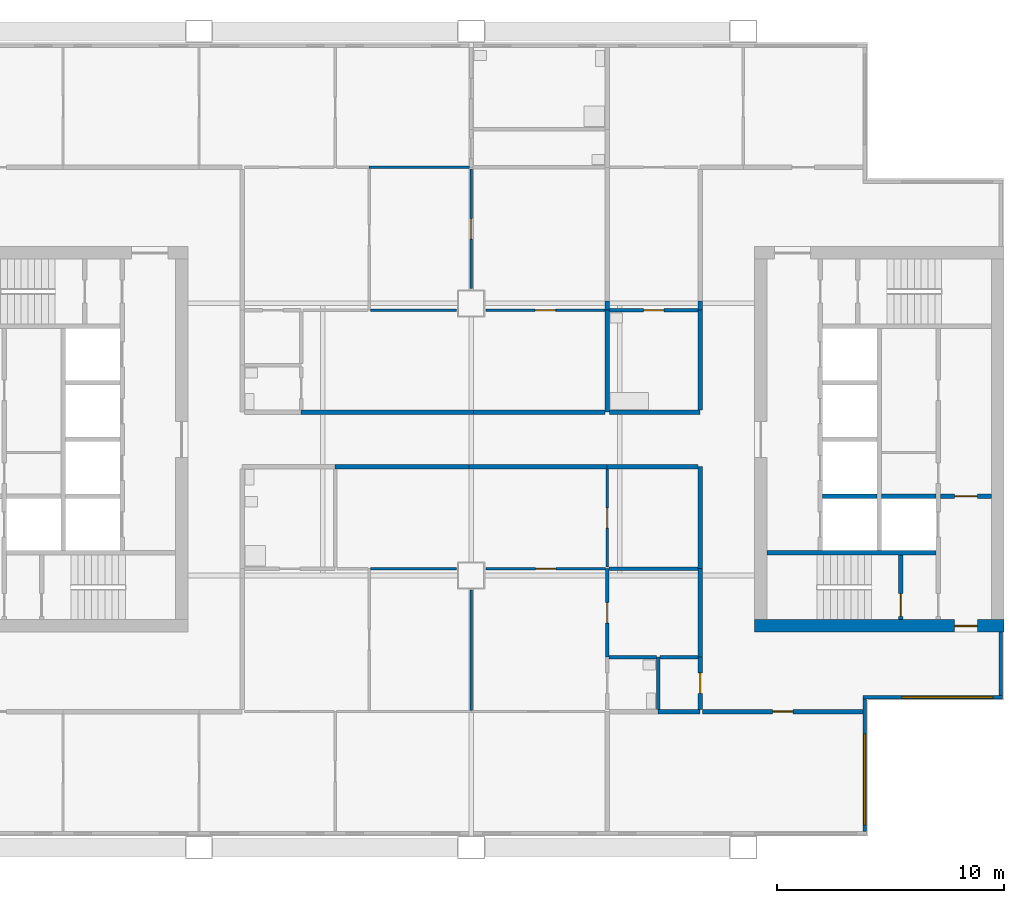
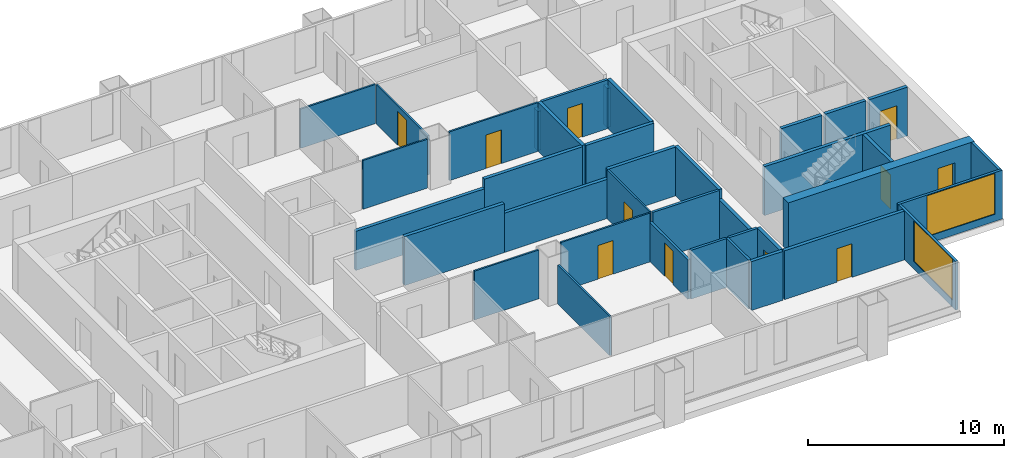
# One storey, part 5 of 10: 38 walls, 11 doors, 2 windows, 13 openings.
"""IFC4 building model written with IfcOpenShell, lengths in metres."""

from ifc_helpers import new_model, si_unit, direction, frame, frame_2d, origin, place, context, subcontext, project, spatial, rectangle, extrude, material, layer, layer_set, type_object, element, fill, save


model = new_model("IFC4")

# Units and contexts
model_context = context("Model", 3, precision=1e-05, world=origin(), true_north=direction((0.0, 1.0)))
body_context = subcontext(model_context, "Body", "Model", "MODEL_VIEW")
ifc_project = project(units=[si_unit("LENGTHUNIT", "METRE"), si_unit("AREAUNIT", "SQUARE_METRE"), si_unit("VOLUMEUNIT", "CUBIC_METRE"), si_unit("PLANEANGLEUNIT", "RADIAN"), si_unit("MASSUNIT", "GRAM", prefix="KILO")], contexts=[model_context])

# Site, building, storey
site_placement = place(None, origin())
site = spatial("IfcSite", under=ifc_project, at=site_placement, CompositionType="ELEMENT")
building_placement = place(site_placement, origin())
building = spatial("IfcBuilding", under=site, at=building_placement, Name="Kitamizu Gate Tower and Museum", CompositionType="ELEMENT")
storey_placement = place(building_placement, frame((0.0, 0.0, 185.85009765625)))
storey = spatial("IfcBuildingStorey", under=building, at=storey_placement, Name="L49", CompositionType="ELEMENT", Elevation=185.85009765625)

# Wall, opening, door
ifc_material_1 = material(Name="Concrete Fc42", Category="concrete")
ifc_layer_1 = layer(ifc_material_1, 0.550048828125)
ifc_layer_set_1 = layer_set([ifc_layer_1], Name="Concrete Fc42")
wall_type_1 = type_object("IfcWallType", Name="Core wall 550", PredefinedType="SHEAR", material=ifc_layer_set_1)
wall_1_placement = place(storey_placement, frame((59.5, 21.77490234375, 0.0), z_axis=(0.0, 0.0, 1.0), x_axis=(-1.0, 0.0, 0.0)))
wall_1 = element("IfcWall", 1, at=wall_1_placement, inside=storey, type_object=wall_type_1, Name="Core wall ES", PredefinedType="SHEAR", context=body_context, shape_type="SweptSolid", body=[
    extrude(rectangle(XDim=11.0, YDim=0.550048828125, at=frame_2d((5.5, 0.0))), origin(), (0.0, 0.0, 1.0), 3.0498046875),
])
opening_1_placement = place(wall_1_placement, frame((1.175048828125, 0.0, 0.0)))
opening_1 = element("IfcOpeningElement", 2, at=opening_1_placement, cuts=wall_1, Name="Opening L49-057", PredefinedType="OPENING", context=body_context, shape_type="SweptSolid", body=[
    extrude(rectangle(XDim=1.0, YDim=2.10009765625, at=frame_2d((0.5, 1.050048828125))), frame((0.0, 0.28515625, 0.0), z_axis=(0.0, -1.0, 0.0), x_axis=(1.0, 0.0, 0.0)), (0.0, 0.0, 1.0), 0.570068359375),
])
ifc_material_2 = material(Name="Hollow metal door set")
door_type_1 = type_object("IfcDoorType", Name="Fire door 1000", OperationType="NOTDEFINED", PredefinedType="DOOR", material=ifc_material_2)
door_1_placement = place(opening_1_placement, frame((1.0, 0.0, 0.0), x_axis=(-1.0, 0.0, 0.0)))
door_1 = element("IfcDoor", 3, at=door_1_placement, inside=storey, type_object=door_type_1, Name="Fire-fighting lobby door L49-057", OperationType="SINGLE_SWING_LEFT", OverallHeight=2.10009765625, OverallWidth=1.0, PredefinedType="DOOR", context=body_context, shape_type="SweptSolid", body=[
    extrude(rectangle(XDim=1.0, YDim=2.10009765625, at=frame_2d((0.5, 1.050048828125))), frame((0.0, 0.02490234375, 0.0), z_axis=(0.0, -1.0, 0.0), x_axis=(1.0, 0.0, 0.0)), (0.0, 0.0, 1.0), 0.050048828125),
])
fill(opening_1, door_1)

# Walls
ifc_material_3 = material(Name="Gypsum board on galvanised stud")
ifc_layer_2 = layer(ifc_material_3, 0.10009765625)
ifc_layer_set_2 = layer_set([ifc_layer_2], Name="Gypsum board on galvanised stud")
wall_type_2 = type_object("IfcWallType", Name="Partition 100 NOT RATED", PredefinedType="PARTITIONING", material=ifc_layer_set_2)
wall_2_placement = place(storey_placement, frame((36.0, 18.050048828125, 0.0), z_axis=(0.0, 0.0, 1.0), x_axis=(0.0, 1.0, 0.0)))
element("IfcWall", 4, at=wall_2_placement, inside=storey, type_object=wall_type_2, Name="Partition L49-020", PredefinedType="PARTITIONING", context=body_context, shape_type="SweptSolid", body=[
    extrude(rectangle(XDim=5.300048828125, YDim=0.10009765625, at=frame_2d((2.64990234375, 0.0))), origin(), (0.0, 0.0, 1.0), 2.449951171875),
])
wall_3_placement = place(storey_placement, frame((35.35009765625, 24.300048828125, 0.0), z_axis=(0.0, 0.0, 1.0), x_axis=(-1.0, 0.0, 0.0)))
element("IfcWall", 5, at=wall_3_placement, inside=storey, type_object=wall_type_2, Name="Partition L49-021", PredefinedType="PARTITIONING", context=body_context, shape_type="SweptSolid", body=[
    extrude(rectangle(XDim=3.800048828125, YDim=0.10009765625, at=frame_2d((1.89990234375, 0.0))), origin(), (0.0, 0.0, 1.0), 3.0498046875),
])

# Wall, opening, door
wall_4_placement = place(storey_placement, frame((41.925048828125, 24.300048828125, 0.0), z_axis=(0.0, 0.0, 1.0), x_axis=(-1.0, 0.0, 0.0)))
wall_4 = element("IfcWall", 6, at=wall_4_placement, inside=storey, type_object=wall_type_2, Name="Partition L49-022", PredefinedType="PARTITIONING", context=body_context, shape_type="SweptSolid", body=[
    extrude(rectangle(XDim=5.275146484375, YDim=0.10009765625, at=frame_2d((2.6376953125, 0.0))), origin(), (0.0, 0.0, 1.0), 3.0498046875),
])
opening_2_placement = place(wall_4_placement, frame((2.1875, 0.0, 0.0)))
opening_2 = element("IfcOpeningElement", 7, at=opening_2_placement, cuts=wall_4, Name="Opening L49-010", PredefinedType="OPENING", context=body_context, shape_type="SweptSolid", body=[
    extrude(rectangle(XDim=0.89990234375, YDim=2.10009765625, at=frame_2d((0.449951171875, 1.050048828125))), frame((0.0, 0.06005859375, 0.0), z_axis=(0.0, -1.0, 0.0), x_axis=(1.0, 0.0, 0.0)), (0.0, 0.0, 1.0), 0.1201171875),
])
ifc_material_4 = material(Name="Timber door set", Category="wood")
door_type_2 = type_object("IfcDoorType", Name="Room door 900", OperationType="NOTDEFINED", PredefinedType="DOOR", material=ifc_material_4)
door_2_placement = place(opening_2_placement, origin())
door_2 = element("IfcDoor", 8, at=door_2_placement, inside=storey, type_object=door_type_2, Name="Door L49-010", OperationType="SINGLE_SWING_LEFT", OverallHeight=2.10009765625, OverallWidth=0.89990234375, PredefinedType="DOOR", context=body_context, shape_type="SweptSolid", body=[
    extrude(rectangle(XDim=0.89990234375, YDim=2.10009765625, at=frame_2d((0.449951171875, 1.050048828125))), frame((0.0, 0.02490234375, 0.0), z_axis=(0.0, -1.0, 0.0), x_axis=(1.0, 0.0, 0.0)), (0.0, 0.0, 1.0), 0.050048828125),
])
fill(opening_2, door_2)

wall_5_placement = place(storey_placement, frame((42.0, 24.375, 0.0), z_axis=(0.0, 0.0, 1.0), x_axis=(0.0, 1.0, 0.0)))
wall_5 = element("IfcWall", 9, at=wall_5_placement, inside=storey, type_object=wall_type_2, Name="Partition L49-028", PredefinedType="PARTITIONING", context=body_context, shape_type="SweptSolid", body=[
    extrude(rectangle(XDim=4.324951171875, YDim=0.10009765625, at=frame_2d((2.16259765625, 0.0))), origin(), (0.0, 0.0, 1.0), 3.0498046875),
])
opening_3_placement = place(wall_5_placement, frame((1.71240234375, 0.0, 0.0)))
opening_3 = element("IfcOpeningElement", 10, at=opening_3_placement, cuts=wall_5, Name="Opening L49-013", PredefinedType="OPENING", context=body_context, shape_type="SweptSolid", body=[
    extrude(rectangle(XDim=0.89990234375, YDim=2.10009765625, at=frame_2d((0.449951171875, 1.050048828125))), frame((0.0, 0.06005859375, 0.0), z_axis=(0.0, -1.0, 0.0), x_axis=(1.0, 0.0, 0.0)), (0.0, 0.0, 1.0), 0.1201171875),
])
door_3_placement = place(opening_3_placement, origin())
door_3 = element("IfcDoor", 11, at=door_3_placement, inside=storey, type_object=door_type_2, Name="Door L49-013", OperationType="SINGLE_SWING_RIGHT", OverallHeight=2.10009765625, OverallWidth=0.89990234375, PredefinedType="DOOR", context=body_context, shape_type="SweptSolid", body=[
    extrude(rectangle(XDim=0.89990234375, YDim=2.10009765625, at=frame_2d((0.449951171875, 1.050048828125))), frame((0.0, 0.02490234375, 0.0), z_axis=(0.0, -1.0, 0.0), x_axis=(1.0, 0.0, 0.0)), (0.0, 0.0, 1.0), 0.050048828125),
])
fill(opening_3, door_3)

# Wall
wall_6_placement = place(storey_placement, frame((31.5, 42.0, 0.0), z_axis=(0.0, 0.0, 1.0), x_axis=(1.0, 0.0, 0.0)))
element("IfcWall", 12, at=wall_6_placement, inside=storey, type_object=wall_type_2, Name="Partition L49-055", PredefinedType="PARTITIONING", context=body_context, shape_type="SweptSolid", body=[
    extrude(rectangle(XDim=4.425048828125, YDim=0.10009765625, at=frame_2d((2.21240234375, 0.0))), origin(), (0.0, 0.0, 1.0), 2.449951171875),
])

# Wall, opening, door
wall_7_placement = place(storey_placement, frame((36.0, 36.64990234375, 0.0), z_axis=(0.0, 0.0, 1.0), x_axis=(0.0, 1.0, 0.0)))
wall_7 = element("IfcWall", 13, at=wall_7_placement, inside=storey, type_object=wall_type_2, Name="Partition L49-065", PredefinedType="PARTITIONING", context=body_context, shape_type="SweptSolid", body=[
    extrude(rectangle(XDim=5.275146484375, YDim=0.10009765625, at=frame_2d((2.6376953125, 0.0))), origin(), (0.0, 0.0, 1.0), 2.449951171875),
])
opening_4_placement = place(wall_7_placement, frame((2.1875, 0.0, 0.0)))
opening_4 = element("IfcOpeningElement", 14, at=opening_4_placement, cuts=wall_7, Name="Opening L49-024", PredefinedType="OPENING", context=body_context, shape_type="SweptSolid", body=[
    extrude(rectangle(XDim=0.89990234375, YDim=2.10009765625, at=frame_2d((0.449951171875, 1.050048828125))), frame((0.0, 0.06005859375, 0.0), z_axis=(0.0, -1.0, 0.0), x_axis=(1.0, 0.0, 0.0)), (0.0, 0.0, 1.0), 0.1201171875),
])
door_4_placement = place(opening_4_placement, origin())
door_4 = element("IfcDoor", 15, at=door_4_placement, inside=storey, type_object=door_type_2, Name="Door L49-024", OperationType="SINGLE_SWING_LEFT", OverallHeight=2.10009765625, OverallWidth=0.89990234375, PredefinedType="DOOR", context=body_context, shape_type="SweptSolid", body=[
    extrude(rectangle(XDim=0.89990234375, YDim=2.10009765625, at=frame_2d((0.449951171875, 1.050048828125))), frame((0.0, 0.02490234375, 0.0), z_axis=(0.0, -1.0, 0.0), x_axis=(1.0, 0.0, 0.0)), (0.0, 0.0, 1.0), 0.050048828125),
])
fill(opening_4, door_4)

# Wall
wall_8_placement = place(storey_placement, frame((31.550048828125, 35.699951171875, 0.0), z_axis=(0.0, 0.0, 1.0), x_axis=(1.0, 0.0, 0.0)))
element("IfcWall", 16, at=wall_8_placement, inside=storey, type_object=wall_type_2, Name="Partition L49-066", PredefinedType="PARTITIONING", context=body_context, shape_type="SweptSolid", body=[
    extrude(rectangle(XDim=3.800048828125, YDim=0.10009765625, at=frame_2d((1.89990234375, 0.0))), origin(), (0.0, 0.0, 1.0), 3.0498046875),
])

# Wall, opening, door
wall_9_placement = place(storey_placement, frame((36.64990234375, 35.699951171875, 0.0), z_axis=(0.0, 0.0, 1.0), x_axis=(1.0, 0.0, 0.0)))
wall_9 = element("IfcWall", 17, at=wall_9_placement, inside=storey, type_object=wall_type_2, Name="Partition L49-067", PredefinedType="PARTITIONING", context=body_context, shape_type="SweptSolid", body=[
    extrude(rectangle(XDim=5.25, YDim=0.10009765625, at=frame_2d((2.625, 0.0))), origin(), (0.0, 0.0, 1.0), 3.0498046875),
])
opening_5_placement = place(wall_9_placement, frame((2.175048828125, 0.0, 0.0)))
opening_5 = element("IfcOpeningElement", 18, at=opening_5_placement, cuts=wall_9, Name="Opening L49-026", PredefinedType="OPENING", context=body_context, shape_type="SweptSolid", body=[
    extrude(rectangle(XDim=0.89990234375, YDim=2.10009765625, at=frame_2d((0.449951171875, 1.050048828125))), frame((0.0, 0.06005859375, 0.0), z_axis=(0.0, -1.0, 0.0), x_axis=(1.0, 0.0, 0.0)), (0.0, 0.0, 1.0), 0.1201171875),
])
door_5_placement = place(opening_5_placement, origin())
door_5 = element("IfcDoor", 19, at=door_5_placement, inside=storey, type_object=door_type_2, Name="Door L49-026", OperationType="SINGLE_SWING_LEFT", OverallHeight=2.10009765625, OverallWidth=0.89990234375, PredefinedType="DOOR", context=body_context, shape_type="SweptSolid", body=[
    extrude(rectangle(XDim=0.89990234375, YDim=2.10009765625, at=frame_2d((0.449951171875, 1.050048828125))), frame((0.0, 0.02490234375, 0.0), z_axis=(0.0, -1.0, 0.0), x_axis=(1.0, 0.0, 0.0)), (0.0, 0.0, 1.0), 0.050048828125),
])
fill(opening_5, door_5)

ifc_material_5 = material(Name="Gypsum board on galvanised stud")
ifc_layer_3 = layer(ifc_material_5, 0.14990234375)
ifc_layer_set_3 = layer_set([ifc_layer_3], Name="Gypsum board on galvanised stud")
wall_type_3 = type_object("IfcWallType", Name="Partition 150", PredefinedType="PARTITIONING", material=ifc_layer_set_3)
wall_10_placement = place(storey_placement, frame((42.0, 20.39990234375, 0.0), z_axis=(0.0, 0.0, 1.0), x_axis=(0.0, 1.0, 0.0)))
wall_10 = element("IfcWall", 20, at=wall_10_placement, inside=storey, type_object=wall_type_3, Name="Partition L49-024", PredefinedType="PARTITIONING", context=body_context, shape_type="SweptSolid", body=[
    extrude(rectangle(XDim=3.900146484375, YDim=0.14990234375, at=frame_2d((1.9501953125, 0.0))), origin(), (0.0, 0.0, 1.0), 2.449951171875),
])
opening_6_placement = place(wall_10_placement, frame((1.5, 0.0, 0.0)))
opening_6 = element("IfcOpeningElement", 21, at=opening_6_placement, cuts=wall_10, Name="Opening L49-012", PredefinedType="OPENING", context=body_context, shape_type="SweptSolid", body=[
    extrude(rectangle(XDim=0.89990234375, YDim=2.10009765625, at=frame_2d((0.449951171875, 1.050048828125))), frame((0.0, 0.0849609375, 0.0), z_axis=(0.0, -1.0, 0.0), x_axis=(1.0, 0.0, 0.0)), (0.0, 0.0, 1.0), 0.169921875),
])
ifc_material_6 = material(Name="Timber door set", Category="wood")
door_type_3 = type_object("IfcDoorType", Name="Bathroom door 900", OperationType="NOTDEFINED", PredefinedType="DOOR", material=ifc_material_6)
door_6_placement = place(opening_6_placement, frame((0.89990234375, 0.0, 0.0), x_axis=(-1.0, 0.0, 0.0)))
door_6 = element("IfcDoor", 22, at=door_6_placement, inside=storey, type_object=door_type_3, Name="Bathroom door L49-012", OperationType="SINGLE_SWING_RIGHT", OverallHeight=2.10009765625, OverallWidth=0.89990234375, PredefinedType="DOOR", context=body_context, shape_type="SweptSolid", body=[
    extrude(rectangle(XDim=0.89990234375, YDim=2.10009765625, at=frame_2d((0.449951171875, 1.050048828125))), frame((0.0, 0.02490234375, 0.0), z_axis=(0.0, -1.0, 0.0), x_axis=(1.0, 0.0, 0.0)), (0.0, 0.0, 1.0), 0.050048828125),
])
fill(opening_6, door_6)

# Walls
wall_11_placement = place(storey_placement, frame((44.25, 18.10009765625, 0.0), z_axis=(0.0, 0.0, 1.0), x_axis=(0.0, 1.0, 0.0)))
element("IfcWall", 23, at=wall_11_placement, inside=storey, type_object=wall_type_3, Name="Partition L49-031", PredefinedType="PARTITIONING", context=body_context, shape_type="SweptSolid", body=[
    extrude(rectangle(XDim=2.2998046875, YDim=0.14990234375, at=frame_2d((1.14990234375, 0.0))), origin(), (0.0, 0.0, 1.0), 3.0498046875),
])
wall_12_placement = place(storey_placement, frame((44.175048828125, 20.39990234375, 0.0), z_axis=(0.0, 0.0, 1.0), x_axis=(-1.0, 0.0, 0.0)))
element("IfcWall", 24, at=wall_12_placement, inside=storey, type_object=wall_type_3, Name="Partition L49-032", PredefinedType="PARTITIONING", context=body_context, shape_type="SweptSolid", body=[
    extrude(rectangle(XDim=2.10009765625, YDim=0.14990234375, at=frame_2d((1.050048828125, 0.0))), origin(), (0.0, 0.0, 1.0), 3.0498046875),
])
wall_13_placement = place(storey_placement, frame((46.0, 20.39990234375, 0.0), z_axis=(0.0, 0.0, 1.0), x_axis=(-1.0, 0.0, 0.0)))
element("IfcWall", 25, at=wall_13_placement, inside=storey, type_object=wall_type_3, Name="Partition L49-034", PredefinedType="PARTITIONING", context=body_context, shape_type="SweptSolid", body=[
    extrude(rectangle(XDim=1.675048828125, YDim=0.14990234375, at=frame_2d((0.83740234375, 0.0))), origin(), (0.0, 0.0, 1.0), 3.0498046875),
])
wall_14_placement = place(storey_placement, frame((46.0, 24.300048828125, 0.0), z_axis=(0.0, 0.0, 1.0), x_axis=(-1.0, 0.0, 0.0)))
element("IfcWall", 26, at=wall_14_placement, inside=storey, type_object=wall_type_3, Name="Partition L49-037", PredefinedType="PARTITIONING", context=body_context, shape_type="SweptSolid", body=[
    extrude(rectangle(XDim=3.925048828125, YDim=0.14990234375, at=frame_2d((1.96240234375, 0.0))), origin(), (0.0, 0.0, 1.0), 3.0498046875),
])

# Wall, opening, door
wall_15_placement = place(storey_placement, frame((42.10009765625, 35.699951171875, 0.0), z_axis=(0.0, 0.0, 1.0), x_axis=(1.0, 0.0, 0.0)))
wall_15 = element("IfcWall", 27, at=wall_15_placement, inside=storey, type_object=wall_type_3, Name="Partition L49-102", PredefinedType="PARTITIONING", context=body_context, shape_type="SweptSolid", body=[
    extrude(rectangle(XDim=3.89990234375, YDim=0.14990234375, at=frame_2d((1.949951171875, 0.0))), origin(), (0.0, 0.0, 1.0), 3.0498046875),
])
opening_7_placement = place(wall_15_placement, frame((1.5, 0.0, 0.0)))
opening_7 = element("IfcOpeningElement", 28, at=opening_7_placement, cuts=wall_15, Name="Opening L49-039", PredefinedType="OPENING", context=body_context, shape_type="SweptSolid", body=[
    extrude(rectangle(XDim=0.89990234375, YDim=2.10009765625, at=frame_2d((0.449951171875, 1.050048828125))), frame((0.0, 0.0849609375, 0.0), z_axis=(0.0, -1.0, 0.0), x_axis=(1.0, 0.0, 0.0)), (0.0, 0.0, 1.0), 0.169921875),
])
door_7_placement = place(opening_7_placement, frame((0.89990234375, 0.0, 0.0), x_axis=(-1.0, 0.0, 0.0)))
door_7 = element("IfcDoor", 29, at=door_7_placement, inside=storey, type_object=door_type_3, Name="Bathroom door L49-039", OperationType="SINGLE_SWING_RIGHT", OverallHeight=2.10009765625, OverallWidth=0.89990234375, PredefinedType="DOOR", context=body_context, shape_type="SweptSolid", body=[
    extrude(rectangle(XDim=0.89990234375, YDim=2.10009765625, at=frame_2d((0.449951171875, 1.050048828125))), frame((0.0, 0.02490234375, 0.0), z_axis=(0.0, -1.0, 0.0), x_axis=(1.0, 0.0, 0.0)), (0.0, 0.0, 1.0), 0.050048828125),
])
fill(opening_7, door_7)

# Walls
ifc_material_7 = material(Name="Gypsum board on galvanised stud")
ifc_layer_4 = layer(ifc_material_7, 0.199951171875)
ifc_layer_set_4 = layer_set([ifc_layer_4], Name="Gypsum board on galvanised stud")
wall_type_4 = type_object("IfcWallType", Name="Partition 200", PredefinedType="PARTITIONING", material=ifc_layer_set_4)
wall_16_placement = place(storey_placement, frame((42.0, 28.800048828125, 0.0), z_axis=(0.0, 0.0, 1.0), x_axis=(-1.0, 0.0, 0.0)))
element("IfcWall", 30, at=wall_16_placement, inside=storey, type_object=wall_type_4, Name="Partition L49-029", PredefinedType="PARTITIONING", context=body_context, shape_type="SweptSolid", body=[
    extrude(rectangle(XDim=6.10009765625, YDim=0.199951171875, at=frame_2d((3.050048828125, 0.0))), origin(), (0.0, 0.0, 1.0), 2.449951171875),
])
wall_17_placement = place(storey_placement, frame((35.89990234375, 28.800048828125, 0.0), z_axis=(0.0, 0.0, 1.0), x_axis=(-1.0, 0.0, 0.0)))
element("IfcWall", 31, at=wall_17_placement, inside=storey, type_object=wall_type_4, Name="Partition L49-030", PredefinedType="PARTITIONING", context=body_context, shape_type="SweptSolid", body=[
    extrude(rectangle(XDim=5.89990234375, YDim=0.199951171875, at=frame_2d((2.949951171875, 0.0))), origin(), (0.0, 0.0, 1.0), 3.0498046875),
])
wall_18_placement = place(storey_placement, frame((44.25, 18.0, 0.0), z_axis=(0.0, 0.0, 1.0), x_axis=(1.0, 0.0, 0.0)))
element("IfcWall", 32, at=wall_18_placement, inside=storey, type_object=wall_type_4, Name="Partition L49-035", PredefinedType="PARTITIONING", context=body_context, shape_type="SweptSolid", body=[
    extrude(rectangle(XDim=1.85009765625, YDim=0.199951171875, at=frame_2d((0.925048828125, 0.0))), origin(), (0.0, 0.0, 1.0), 3.0498046875),
])

# Wall, opening, door
wall_19_placement = place(storey_placement, frame((46.10009765625, 18.10009765625, 0.0), z_axis=(0.0, 0.0, 1.0), x_axis=(0.0, 1.0, 0.0)))
wall_19 = element("IfcWall", 33, at=wall_19_placement, inside=storey, type_object=wall_type_4, Name="Partition L49-036", PredefinedType="PARTITIONING", context=body_context, shape_type="SweptSolid", body=[
    extrude(rectangle(XDim=2.2998046875, YDim=0.199951171875, at=frame_2d((1.14990234375, 0.0))), origin(), (0.0, 0.0, 1.0), 3.0498046875),
])
opening_8_placement = place(wall_19_placement, frame((0.699951171875, 0.0, 0.0)))
opening_8 = element("IfcOpeningElement", 34, at=opening_8_placement, cuts=wall_19, Name="Opening L49-014", PredefinedType="OPENING", context=body_context, shape_type="SweptSolid", body=[
    extrude(rectangle(XDim=0.89990234375, YDim=2.10009765625, at=frame_2d((0.449951171875, 1.050048828125))), frame((0.0, 0.10986328125, 0.0), z_axis=(0.0, -1.0, 0.0), x_axis=(1.0, 0.0, 0.0)), (0.0, 0.0, 1.0), 0.219970703125),
])
ifc_material_8 = material(Name="Timber door set", Category="wood")
door_type_4 = type_object("IfcDoorType", Name="Store door 900", OperationType="NOTDEFINED", PredefinedType="DOOR", material=ifc_material_8)
door_8_placement = place(opening_8_placement, origin())
door_8 = element("IfcDoor", 35, at=door_8_placement, inside=storey, type_object=door_type_4, Name="Service entrance door L49-014", OperationType="SINGLE_SWING_LEFT", OverallHeight=2.10009765625, OverallWidth=0.89990234375, PredefinedType="DOOR", context=body_context, shape_type="SweptSolid", body=[
    extrude(rectangle(XDim=0.89990234375, YDim=2.10009765625, at=frame_2d((0.449951171875, 1.050048828125))), frame((0.0, 0.02490234375, 0.0), z_axis=(0.0, -1.0, 0.0), x_axis=(1.0, 0.0, 0.0)), (0.0, 0.0, 1.0), 0.050048828125),
])
fill(opening_8, door_8)

# Walls
wall_20_placement = place(storey_placement, frame((46.10009765625, 20.39990234375, 0.0), z_axis=(0.0, 0.0, 1.0), x_axis=(0.0, 1.0, 0.0)))
element("IfcWall", 36, at=wall_20_placement, inside=storey, type_object=wall_type_4, Name="Partition L49-038", PredefinedType="PARTITIONING", context=body_context, shape_type="SweptSolid", body=[
    extrude(rectangle(XDim=3.900146484375, YDim=0.199951171875, at=frame_2d((1.9501953125, 0.0))), origin(), (0.0, 0.0, 1.0), 2.449951171875),
])
wall_21_placement = place(storey_placement, frame((46.10009765625, 24.300048828125, 0.0), z_axis=(0.0, 0.0, 1.0), x_axis=(0.0, 1.0, 0.0)))
element("IfcWall", 37, at=wall_21_placement, inside=storey, type_object=wall_type_4, Name="Partition L49-039", PredefinedType="PARTITIONING", context=body_context, shape_type="SweptSolid", body=[
    extrude(rectangle(XDim=4.5, YDim=0.199951171875, at=frame_2d((2.25, 0.0))), origin(), (0.0, 0.0, 1.0), 3.0498046875),
])
wall_22_placement = place(storey_placement, frame((46.0, 28.800048828125, 0.0), z_axis=(0.0, 0.0, 1.0), x_axis=(-1.0, 0.0, 0.0)))
element("IfcWall", 38, at=wall_22_placement, inside=storey, type_object=wall_type_4, Name="Partition L49-040", PredefinedType="PARTITIONING", context=body_context, shape_type="SweptSolid", body=[
    extrude(rectangle(XDim=4.0, YDim=0.199951171875, at=frame_2d((2.0, 0.0))), origin(), (0.0, 0.0, 1.0), 3.0498046875),
])
wall_23_placement = place(storey_placement, frame((42.0, 35.699951171875, 0.0), z_axis=(0.0, 0.0, 1.0), x_axis=(0.0, 1.0, 0.0)))
element("IfcWall", 39, at=wall_23_placement, inside=storey, type_object=wall_type_4, Name="Partition L49-068", PredefinedType="PARTITIONING", context=body_context, shape_type="SweptSolid", body=[
    extrude(rectangle(XDim=0.400146484375, YDim=0.199951171875, at=frame_2d((0.2001953125, 0.0))), origin(), (0.0, 0.0, 1.0), 2.449951171875),
])
wall_24_placement = place(storey_placement, frame((42.0, 31.199951171875, 0.0), z_axis=(0.0, 0.0, 1.0), x_axis=(0.0, 1.0, 0.0)))
element("IfcWall", 40, at=wall_24_placement, inside=storey, type_object=wall_type_4, Name="Partition L49-076", PredefinedType="PARTITIONING", context=body_context, shape_type="SweptSolid", body=[
    extrude(rectangle(XDim=4.5, YDim=0.199951171875, at=frame_2d((2.25, 0.0))), origin(), (0.0, 0.0, 1.0), 3.0498046875),
])
wall_25_placement = place(storey_placement, frame((28.5, 31.199951171875, 0.0), z_axis=(0.0, 0.0, 1.0), x_axis=(1.0, 0.0, 0.0)))
element("IfcWall", 41, at=wall_25_placement, inside=storey, type_object=wall_type_4, Name="Partition L49-077", PredefinedType="PARTITIONING", context=body_context, shape_type="SweptSolid", body=[
    extrude(rectangle(XDim=7.60009765625, YDim=0.199951171875, at=frame_2d((3.800048828125, 0.0))), origin(), (0.0, 0.0, 1.0), 2.449951171875),
])
wall_26_placement = place(storey_placement, frame((36.10009765625, 31.199951171875, 0.0), z_axis=(0.0, 0.0, 1.0), x_axis=(1.0, 0.0, 0.0)))
element("IfcWall", 42, at=wall_26_placement, inside=storey, type_object=wall_type_4, Name="Partition L49-078", PredefinedType="PARTITIONING", context=body_context, shape_type="SweptSolid", body=[
    extrude(rectangle(XDim=5.7998046875, YDim=0.199951171875, at=frame_2d((2.89990234375, 0.0))), origin(), (0.0, 0.0, 1.0), 3.0498046875),
])
wall_27_placement = place(storey_placement, frame((46.10009765625, 35.699951171875, 0.0), z_axis=(0.0, 0.0, 1.0), x_axis=(0.0, 1.0, 0.0)))
element("IfcWall", 43, at=wall_27_placement, inside=storey, type_object=wall_type_4, Name="Partition L49-103", PredefinedType="PARTITIONING", context=body_context, shape_type="SweptSolid", body=[
    extrude(rectangle(XDim=0.400146484375, YDim=0.199951171875, at=frame_2d((0.2001953125, 0.0))), origin(), (0.0, 0.0, 1.0), 2.449951171875),
])
wall_28_placement = place(storey_placement, frame((42.10009765625, 31.199951171875, 0.0), z_axis=(0.0, 0.0, 1.0), x_axis=(1.0, 0.0, 0.0)))
element("IfcWall", 44, at=wall_28_placement, inside=storey, type_object=wall_type_4, Name="Partition L49-105", PredefinedType="PARTITIONING", context=body_context, shape_type="SweptSolid", body=[
    extrude(rectangle(XDim=4.0, YDim=0.199951171875, at=frame_2d((2.0, 0.0))), origin(), (0.0, 0.0, 1.0), 3.0498046875),
])
wall_29_placement = place(storey_placement, frame((46.10009765625, 31.300048828125, 0.0), z_axis=(0.0, 0.0, 1.0), x_axis=(0.0, 1.0, 0.0)))
element("IfcWall", 45, at=wall_29_placement, inside=storey, type_object=wall_type_4, Name="Partition L49-106", PredefinedType="PARTITIONING", context=body_context, shape_type="SweptSolid", body=[
    extrude(rectangle(XDim=4.39990234375, YDim=0.199951171875, at=frame_2d((2.199951171875, 0.0))), origin(), (0.0, 0.0, 1.0), 3.0498046875),
])

# Wall, opening, door
wall_30_placement = place(storey_placement, frame((53.280029296875, 18.0, 0.0), z_axis=(0.0, 0.0, 1.0), x_axis=(-1.0, 0.0, 0.0)))
wall_30 = element("IfcWall", 46, at=wall_30_placement, inside=storey, type_object=wall_type_4, Name="Partition L49-107", PredefinedType="PARTITIONING", context=body_context, shape_type="SweptSolid", body=[
    extrude(rectangle(XDim=7.080078125, YDim=0.199951171875, at=frame_2d((3.5400390625, 0.0))), origin(), (0.0, 0.0, 1.0), 3.0498046875),
])
opening_9_placement = place(wall_30_placement, frame((3.090087890625, 0.0, 0.0)))
opening_9 = element("IfcOpeningElement", 47, at=opening_9_placement, cuts=wall_30, Name="Opening L49-040", PredefinedType="OPENING", context=body_context, shape_type="SweptSolid", body=[
    extrude(rectangle(XDim=0.89990234375, YDim=2.10009765625, at=frame_2d((0.449951171875, 1.050048828125))), frame((0.0, 0.10986328125, 0.0), z_axis=(0.0, -1.0, 0.0), x_axis=(1.0, 0.0, 0.0)), (0.0, 0.0, 1.0), 0.219970703125),
])
door_9_placement = place(opening_9_placement, origin())
door_9 = element("IfcDoor", 48, at=door_9_placement, inside=storey, type_object=door_type_2, Name="Door L49-040", OperationType="SINGLE_SWING_RIGHT", OverallHeight=2.10009765625, OverallWidth=0.89990234375, PredefinedType="DOOR", context=body_context, shape_type="SweptSolid", body=[
    extrude(rectangle(XDim=0.89990234375, YDim=2.10009765625, at=frame_2d((0.449951171875, 1.050048828125))), frame((0.0, 0.02490234375, 0.0), z_axis=(0.0, -1.0, 0.0), x_axis=(1.0, 0.0, 0.0)), (0.0, 0.0, 1.0), 0.050048828125),
])
fill(opening_9, door_9)

# Wall
ifc_material_9 = material(Name="Concrete Fc42", Category="concrete")
ifc_layer_5 = layer(ifc_material_9, 0.199951171875)
ifc_layer_set_5 = layer_set([ifc_layer_5], Name="Concrete Fc42")
wall_type_5 = type_object("IfcWallType", Name="Shaft wall 200", PredefinedType="SOLIDWALL", material=ifc_layer_set_5)
wall_31_placement = place(storey_placement, frame((56.5, 25.0, 0.0), z_axis=(0.0, 0.0, 1.0), x_axis=(-1.0, 0.0, 0.0)))
element("IfcWall", 49, at=wall_31_placement, inside=storey, type_object=wall_type_5, Name="Shaft wall ESB", PredefinedType="SOLIDWALL", context=body_context, shape_type="SweptSolid", body=[
    extrude(rectangle(XDim=7.449951171875, YDim=0.199951171875, at=frame_2d((3.72509765625, 0.0))), origin(), (0.0, 0.0, 1.0), 3.0498046875),
])

# Wall, opening, door
wall_32_placement = place(storey_placement, frame((58.949951171875, 27.5, 0.0), z_axis=(0.0, 0.0, 1.0), x_axis=(-1.0, 0.0, 0.0)))
wall_32 = element("IfcWall", 50, at=wall_32_placement, inside=storey, type_object=wall_type_5, Name="Shaft wall EFFN", PredefinedType="SOLIDWALL", context=body_context, shape_type="SweptSolid", body=[
    extrude(rectangle(XDim=2.25, YDim=0.199951171875, at=frame_2d((1.125, 0.0))), origin(), (0.0, 0.0, 1.0), 3.0498046875),
])
opening_10_placement = place(wall_32_placement, frame((0.625, 0.0, 0.0)))
opening_10 = element("IfcOpeningElement", 51, at=opening_10_placement, cuts=wall_32, Name="Opening L49-056", PredefinedType="OPENING", context=body_context, shape_type="SweptSolid", body=[
    extrude(rectangle(XDim=1.0, YDim=2.10009765625, at=frame_2d((0.5, 1.050048828125))), frame((0.0, 0.10986328125, 0.0), z_axis=(0.0, -1.0, 0.0), x_axis=(1.0, 0.0, 0.0)), (0.0, 0.0, 1.0), 0.219970703125),
])
door_10_placement = place(opening_10_placement, origin())
door_10 = element("IfcDoor", 52, at=door_10_placement, inside=storey, type_object=door_type_1, Name="Fire-fighting lobby door L49-056", OperationType="SINGLE_SWING_LEFT", OverallHeight=2.10009765625, OverallWidth=1.0, PredefinedType="DOOR", context=body_context, shape_type="SweptSolid", body=[
    extrude(rectangle(XDim=1.0, YDim=2.10009765625, at=frame_2d((0.5, 1.050048828125))), frame((0.0, 0.02490234375, 0.0), z_axis=(0.0, -1.0, 0.0), x_axis=(1.0, 0.0, 0.0)), (0.0, 0.0, 1.0), 0.050048828125),
])
fill(opening_10, door_10)

wall_33_placement = place(storey_placement, frame((54.949951171875, 22.050048828125, 0.0), z_axis=(0.0, 0.0, 1.0), x_axis=(0.0, 1.0, 0.0)))
wall_33 = element("IfcWall", 53, at=wall_33_placement, inside=storey, type_object=wall_type_5, Name="Shaft wall ESZ", PredefinedType="SOLIDWALL", context=body_context, shape_type="SweptSolid", body=[
    extrude(rectangle(XDim=2.849853515625, YDim=0.199951171875, at=frame_2d((1.4248046875, 0.0))), origin(), (0.0, 0.0, 1.0), 3.0498046875),
])
opening_11_placement = place(wall_33_placement, frame((0.14990234375, 0.0, 0.0)))
opening_11 = element("IfcOpeningElement", 54, at=opening_11_placement, cuts=wall_33, Name="Opening L49-052", PredefinedType="OPENING", context=body_context, shape_type="SweptSolid", body=[
    extrude(rectangle(XDim=1.0, YDim=2.10009765625, at=frame_2d((0.5, 1.050048828125))), frame((0.0, 0.10986328125, 0.0), z_axis=(0.0, -1.0, 0.0), x_axis=(1.0, 0.0, 0.0)), (0.0, 0.0, 1.0), 0.219970703125),
])
door_11_placement = place(opening_11_placement, origin())
door_11 = element("IfcDoor", 55, at=door_11_placement, inside=storey, type_object=door_type_1, Name="Stair door L49-052", OperationType="SINGLE_SWING_RIGHT", OverallHeight=2.10009765625, OverallWidth=1.0, PredefinedType="DOOR", context=body_context, shape_type="SweptSolid", body=[
    extrude(rectangle(XDim=1.0, YDim=2.10009765625, at=frame_2d((0.5, 1.050048828125))), frame((0.0, 0.02490234375, 0.0), z_axis=(0.0, -1.0, 0.0), x_axis=(1.0, 0.0, 0.0)), (0.0, 0.0, 1.0), 0.050048828125),
])
fill(opening_11, door_11)

# Walls
for number, where, z_axis, x_axis, name in (
    (56, (56.5, 27.5, 0.0), (0.0, 0.0, 1.0), (-1.0, 0.0, 0.0), "Shaft wall EDVW0"),
    (57, (53.89990234375, 27.5, 0.0), (0.0, 0.0, 1.0), (-1.0, 0.0, 0.0), "Shaft wall EDVE0"),
):
    element("IfcWall", number, at=place(storey_placement, frame(where, z_axis=z_axis, x_axis=x_axis)), inside=storey, type_object=wall_type_5, Name=name, PredefinedType="SOLIDWALL", context=body_context, shape_type="SweptSolid", body=[
        extrude(rectangle(XDim=2.39990234375, YDim=0.199951171875, at=frame_2d((1.199951171875, 0.0))), origin(), (0.0, 0.0, 1.0), 3.0498046875),
    ])

# Wall, opening, window
ifc_material_10 = material(Name="Bronze anodised aluminium frame with insulated spandrel and tinted glass", Category="aluminium")
ifc_layer_6 = layer(ifc_material_10, 0.14990234375)
ifc_layer_set_6 = layer_set([ifc_layer_6], Name="Bronze anodised aluminium frame with insulated spandrel and tinted glass")
wall_type_6 = type_object("IfcWallType", Name="WINDOW WALL 150 BRONZE FRAME EI 30", PredefinedType="ELEMENTEDWALL", material=ifc_layer_set_6)
wall_34_placement = place(storey_placement, frame((53.364990234375, 12.7099609375, 0.0), z_axis=(0.0, 0.0, 1.0), x_axis=(0.0, 1.0, 0.0)))
wall_34 = element("IfcWall", 58, at=wall_34_placement, inside=storey, type_object=wall_type_6, Name="Window wall east L49", PredefinedType="ELEMENTEDWALL", context=body_context, shape_type="SweptSolid", body=[
    extrude(rectangle(XDim=5.85009765625, YDim=0.14990234375, at=frame_2d((2.925048828125, 0.0))), origin(), (0.0, 0.0, 1.0), 3.0498046875),
])
opening_12_placement = place(wall_34_placement, frame((0.2900390625, 0.0, 0.449951171875)))
opening_12 = element("IfcOpeningElement", 59, at=opening_12_placement, cuts=wall_34, Name="Opening W16", PredefinedType="OPENING", context=body_context, shape_type="SweptSolid", body=[
    extrude(rectangle(XDim=4.0, YDim=2.550048828125, at=frame_2d((2.0, 1.27490234375))), frame((0.0, 0.0849609375, 0.0), z_axis=(0.0, -1.0, 0.0), x_axis=(1.0, 0.0, 0.0)), (0.0, 0.0, 1.0), 0.169921875),
])
ifc_material_11 = material(Name="Bronze anodised aluminium frame, tinted triple glazing", Category="aluminium")
window_type = type_object("IfcWindowType", Name="WINDOW 4000 x 2550 SILL 450", PartitioningType="SINGLE_PANEL", PredefinedType="WINDOW", material=ifc_material_11)
window_1_placement = place(opening_12_placement, origin())
window_1 = element("IfcWindow", 60, at=window_1_placement, inside=storey, type_object=window_type, Name="Window W16 L49", OverallHeight=2.550048828125, OverallWidth=4.0, PartitioningType="SINGLE_PANEL", PredefinedType="WINDOW", context=body_context, shape_type="SweptSolid", body=[
    extrude(rectangle(XDim=4.0, YDim=2.550048828125, at=frame_2d((2.0, 1.27490234375))), frame((0.0, 0.030029296875, 0.0), z_axis=(0.0, -1.0, 0.0), x_axis=(1.0, 0.0, 0.0)), (0.0, 0.0, 1.0), 0.06005859375),
])
fill(opening_12, window_1)

wall_35_placement = place(storey_placement, frame((53.2900390625, 18.635009765625, 0.0), z_axis=(0.0, 0.0, 1.0), x_axis=(1.0, 0.0, 0.0)))
wall_35 = element("IfcWall", 61, at=wall_35_placement, inside=storey, type_object=wall_type_6, Name="Window wall south L49", PredefinedType="ELEMENTEDWALL", context=body_context, shape_type="SweptSolid", body=[
    extrude(rectangle(XDim=6.14990234375, YDim=0.14990234375, at=frame_2d((3.074951171875, 0.0))), origin(), (0.0, 0.0, 1.0), 3.0498046875),
])
opening_13_placement = place(wall_35_placement, frame((1.7099609375, 0.0, 0.449951171875)))
opening_13 = element("IfcOpeningElement", 62, at=opening_13_placement, cuts=wall_35, Name="Opening W16", PredefinedType="OPENING", context=body_context, shape_type="SweptSolid", body=[
    extrude(rectangle(XDim=4.0, YDim=2.550048828125, at=frame_2d((2.0, 1.27490234375))), frame((0.0, 0.0849609375, 0.0), z_axis=(0.0, -1.0, 0.0), x_axis=(1.0, 0.0, 0.0)), (0.0, 0.0, 1.0), 0.169921875),
])
window_2_placement = place(opening_13_placement, origin())
window_2 = element("IfcWindow", 63, at=window_2_placement, inside=storey, type_object=window_type, Name="Window W16 L49", OverallHeight=2.550048828125, OverallWidth=4.0, PartitioningType="SINGLE_PANEL", PredefinedType="WINDOW", context=body_context, shape_type="SweptSolid", body=[
    extrude(rectangle(XDim=4.0, YDim=2.550048828125, at=frame_2d((2.0, 1.27490234375))), frame((0.0, 0.030029296875, 0.0), z_axis=(0.0, -1.0, 0.0), x_axis=(1.0, 0.0, 0.0)), (0.0, 0.0, 1.0), 0.06005859375),
])
fill(opening_13, window_2)

# Wall
wall_36_placement = place(storey_placement, frame((59.364990234375, 18.7099609375, 0.0), z_axis=(0.0, 0.0, 1.0), x_axis=(0.0, 1.0, 0.0)))
element("IfcWall", 64, at=wall_36_placement, inside=storey, type_object=wall_type_6, Name="Window wall east L49", PredefinedType="ELEMENTEDWALL", context=body_context, shape_type="SweptSolid", body=[
    extrude(rectangle(XDim=2.7900390625, YDim=0.14990234375, at=frame_2d((1.39501953125, 0.0))), origin(), (0.0, 0.0, 1.0), 3.0498046875),
])

save(model, "model.ifc")
